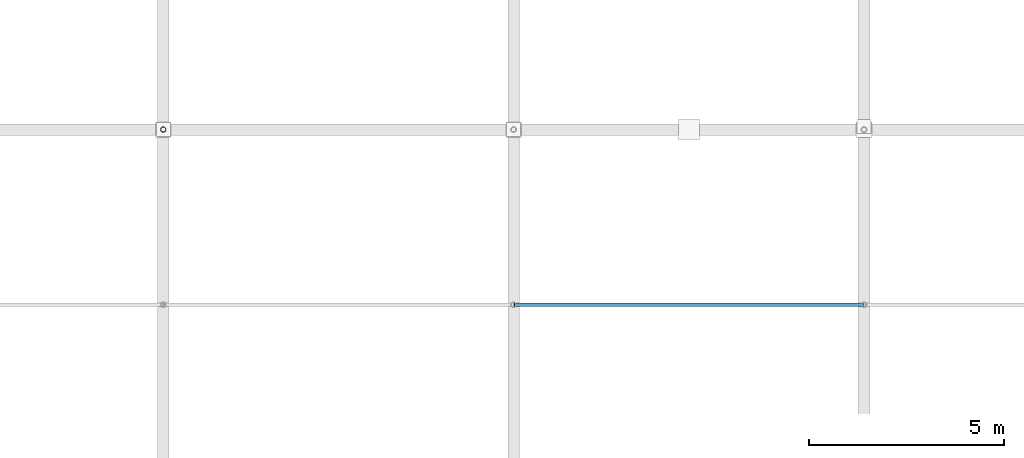
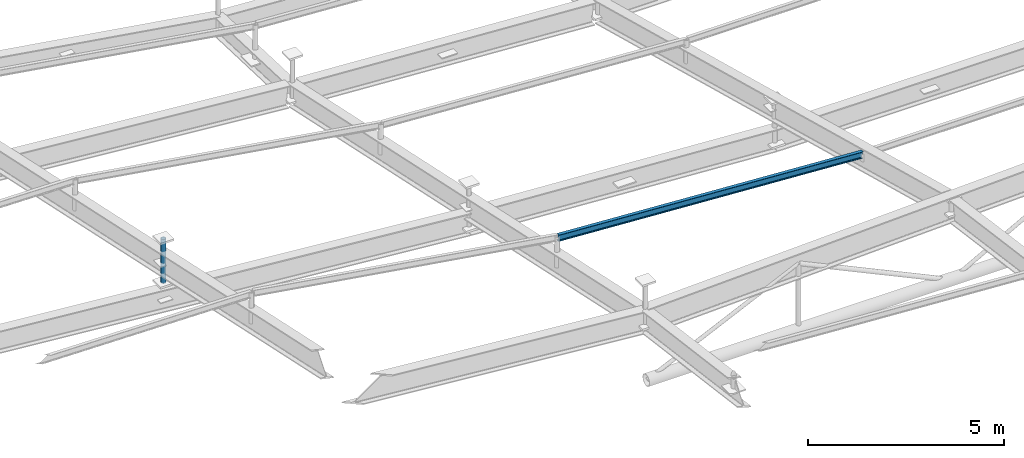
# One storey, part 34 of 80: 2 members.
"""IFC4 building model written with IfcOpenShell, lengths in metres."""

from ifc_helpers import new_model, si_unit, direction, frame, origin, origin_2d, place, context, subcontext, project, spatial, hollow_circle, i_section, extrude, material, material_profile, profile_set, type_object, element, save


model = new_model("IFC4")

# Units and contexts
model_context = context("Model", 3, precision=1e-05, world=origin(), true_north=direction((0.0, 1.0)))
body_context = subcontext(model_context, "Body", "Model", "MODEL_VIEW")
ifc_project = project(units=[si_unit("LENGTHUNIT", "METRE"), si_unit("AREAUNIT", "SQUARE_METRE"), si_unit("VOLUMEUNIT", "CUBIC_METRE"), si_unit("PLANEANGLEUNIT", "RADIAN"), si_unit("MASSUNIT", "GRAM", prefix="KILO")], contexts=[model_context])

# Site, building, storey
site_placement = place(None, origin())
site = spatial("IfcSite", under=ifc_project, at=site_placement, CompositionType="ELEMENT")
building_placement = place(site_placement, origin())
building = spatial("IfcBuilding", under=site, at=building_placement, Name="Barlavento Convention Centre", CompositionType="ELEMENT")
storey_placement = place(building_placement, frame((0.0, 0.0, 29.800048828125)))
storey = spatial("IfcBuildingStorey", under=building, at=storey_placement, Name="RF", CompositionType="ELEMENT", Elevation=29.800048828125)

# Members
ifc_material = material(Name="Steel S355", Category="steel")
ifc_material_profile_1 = material_profile(ifc_material, hollow_circle(Radius=0.06982421875, WallThickness=0.008056640625, at=origin_2d()), Name="CHS 139.7x8.0")
ifc_profile_set_1 = profile_set([ifc_material_profile_1], Name="Steel S355")
member_type_1 = type_object("IfcMemberType", Name="STR-MEM-DIAG-CHS139", PredefinedType="BRACE", material=ifc_profile_set_1)
member_1_placement = place(storey_placement, frame((9.0, 45.0, -3.59375), z_axis=(0.0, 0.0, 1.0), x_axis=(1.0, 0.0, 0.0)))
element("IfcMember", 1, at=member_1_placement, inside=storey, type_object=member_type_1, Name="Congress space frame vertical node post TD04", PredefinedType="BRACE", context=body_context, shape_type="SweptSolid", body=[
    extrude(hollow_circle(Radius=0.06982421875, WallThickness=0.008056640625, at=origin_2d()), origin(), (0.0, 0.0, 1.0), 1.3701171875),
])
ifc_material_profile_2 = material_profile(ifc_material, i_section(OverallWidth=0.10009765625, OverallDepth=0.199951171875, WebThickness=0.005615234375, FlangeThickness=0.008544921875, FilletRadius=0.011962890625, at=origin_2d()), Name="IPE 200")
ifc_profile_set_2 = profile_set([ifc_material_profile_2], Name="Steel S355")
member_type_2 = type_object("IfcMemberType", Name="STR-MEM-PUR-IPE200", PredefinedType="PURLIN", material=ifc_profile_set_2)
member_2_placement = place(storey_placement, frame((18.02001953125, 40.5, -2.630615234375), z_axis=(0.998185279809, 0.0, -0.060217498896), x_axis=(0.0, 1.0, 0.0)))
element("IfcMember", 2, at=member_2_placement, inside=storey, type_object=member_type_2, Name="Congress roof intermediate purlin PR01", PredefinedType="PURLIN", context=body_context, shape_type="SweptSolid", body=[
    extrude(i_section(OverallWidth=0.10009765625, OverallDepth=0.199951171875, WebThickness=0.005615234375, FlangeThickness=0.008544921875, FilletRadius=0.011962890625, at=origin_2d()), origin(), (0.0, 0.0, 1.0), 8.976318359375),
])

save(model, "model.ifc")
